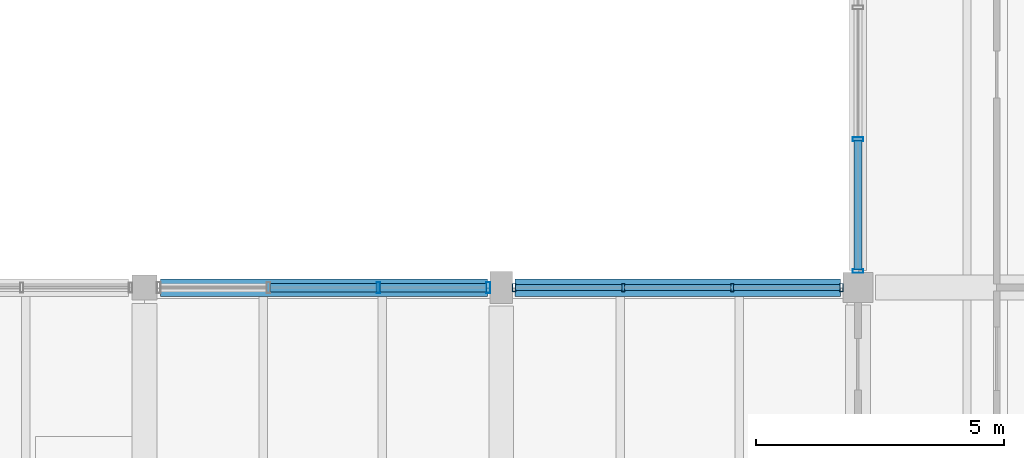
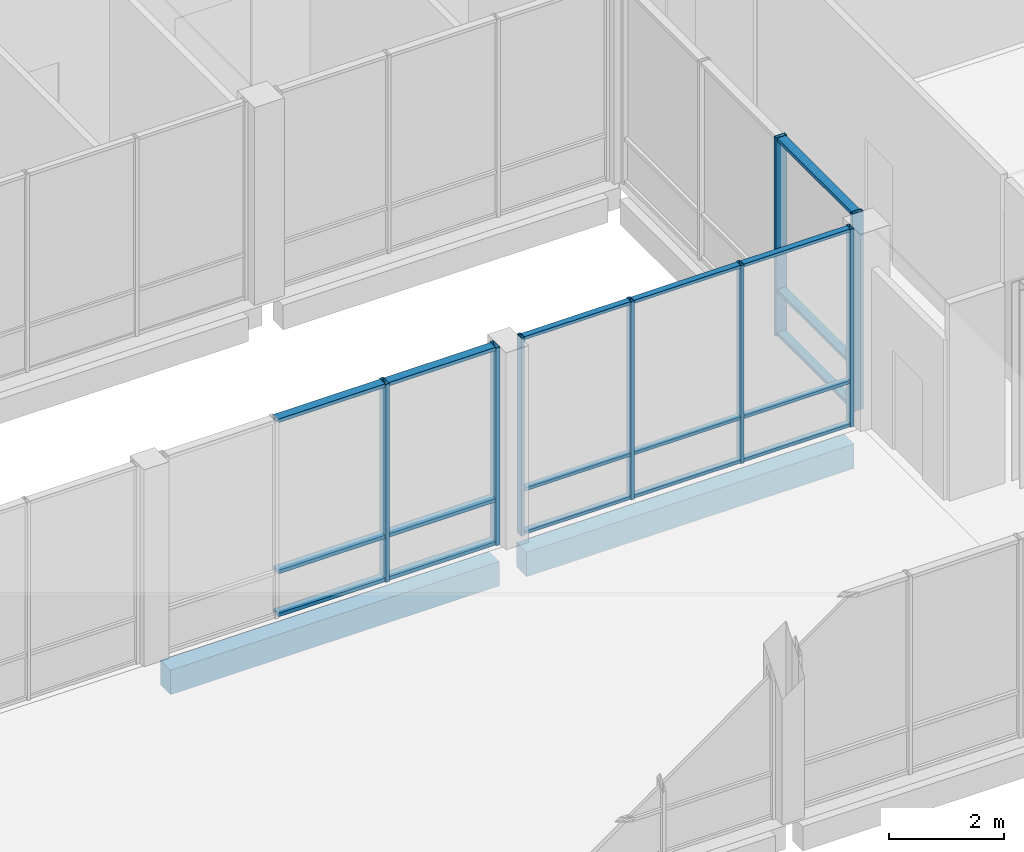
# One storey, part 38 of 104: 26 members, 2 beams, 3 elements without a shape of their own.
"""IFC4 building model written with IfcOpenShell, lengths in metres."""

from ifc_helpers import new_model, si_unit, direction, frame, origin, origin_2d, place, context, subcontext, project, spatial, rectangle, hollow_rectangle, extrude, material, material_profile, profile_set, type_object, element, aggregate, save


model = new_model("IFC4")

# Units and contexts
model_context = context("Model", 3, precision=1e-05, world=origin(), true_north=direction((0.0, 1.0)))
body_context = subcontext(model_context, "Body", "Model", "MODEL_VIEW")
ifc_project = project(units=[si_unit("LENGTHUNIT", "METRE"), si_unit("AREAUNIT", "SQUARE_METRE"), si_unit("VOLUMEUNIT", "CUBIC_METRE"), si_unit("PLANEANGLEUNIT", "RADIAN"), si_unit("MASSUNIT", "GRAM", prefix="KILO")], contexts=[model_context])

# Site, building, storey
site_placement = place(None, origin())
site = spatial("IfcSite", under=ifc_project, at=site_placement, CompositionType="ELEMENT")
building_placement = place(site_placement, origin())
building = spatial("IfcBuilding", under=site, at=building_placement, Name="Hawrajan Terrace Health Centre", CompositionType="ELEMENT")
storey_placement = place(building_placement, origin())
storey = spatial("IfcBuildingStorey", under=building, at=storey_placement, Name="L00", CompositionType="ELEMENT", Elevation=0.0)

# Curtain wall, members
ifc_material_1 = material(Name="Anodized bronze aluminium and low-E solar glazing", Category="aluminium")
curtain_wall_type_1 = type_object("IfcCurtainWallType", Name="CW_Court_SeriesA3", PredefinedType="USERDEFINED", material=ifc_material_1)
curtain_wall_1_placement = place(storey_placement, origin())
curtain_wall_1 = element("IfcCurtainWall", 1, at=curtain_wall_1_placement, inside=storey, type_object=curtain_wall_type_1, Name="Curtain wall CW-L00-027", ObjectType="UNITISED CURTAIN WALL", PredefinedType="USERDEFINED")
ifc_material_2 = material(Name="Anodized bronze aluminium 6063-T6", Category="aluminium")
ifc_material_profile_1 = material_profile(ifc_material_2, hollow_rectangle(XDim=0.06494140625, YDim=0.159912109375, WallThickness=0.00390625, at=origin_2d()), Name="CW MUL 65x160")
ifc_profile_set_1 = profile_set([ifc_material_profile_1], Name="Anodized bronze aluminium 6063-T6")
member_type_1 = type_object("IfcMemberType", Name="CWMullion_65x160", PredefinedType="MULLION", material=ifc_profile_set_1)
member_1_placement = place(storey_placement, frame((55.257568359375, 36.800048828125, -0.0048828125), z_axis=(0.0, 0.0, 1.0), x_axis=(1.0, 0.0, 0.0)))
member_1 = element("IfcMember", 2, at=member_1_placement, type_object=member_type_1, Name="Mullion CW-L00-027-M1", PredefinedType="MULLION", context=body_context, shape_type="SweptSolid", body=[
    extrude(hollow_rectangle(XDim=0.06494140625, YDim=0.159912109375, WallThickness=0.00390625, at=origin_2d()), origin(), (0.0, 0.0, 1.0), 4.2099609375),
])
member_2_placement = place(storey_placement, frame((57.460693359375, 36.800048828125, -0.0048828125), z_axis=(0.0, 0.0, 1.0), x_axis=(1.0, 0.0, 0.0)))
member_2 = element("IfcMember", 3, at=member_2_placement, type_object=member_type_1, Name="Mullion CW-L00-027-M2", PredefinedType="MULLION", context=body_context, shape_type="SweptSolid", body=[
    extrude(hollow_rectangle(XDim=0.06494140625, YDim=0.159912109375, WallThickness=0.00390625, at=origin_2d()), origin(), (0.0, 0.0, 1.0), 4.2099609375),
])
member_3_placement = place(storey_placement, frame((59.664306640625, 36.800048828125, -0.0048828125), z_axis=(0.0, 0.0, 1.0), x_axis=(1.0, 0.0, 0.0)))
member_3 = element("IfcMember", 4, at=member_3_placement, type_object=member_type_1, Name="Mullion CW-L00-027-M3", PredefinedType="MULLION", context=body_context, shape_type="SweptSolid", body=[
    extrude(hollow_rectangle(XDim=0.06494140625, YDim=0.159912109375, WallThickness=0.00390625, at=origin_2d()), origin(), (0.0, 0.0, 1.0), 4.2099609375),
])
member_4_placement = place(storey_placement, frame((61.867431640625, 36.800048828125, -0.0048828125), z_axis=(0.0, 0.0, 1.0), x_axis=(1.0, 0.0, 0.0)))
member_4 = element("IfcMember", 5, at=member_4_placement, type_object=member_type_1, Name="Mullion CW-L00-027-M4", PredefinedType="MULLION", context=body_context, shape_type="SweptSolid", body=[
    extrude(hollow_rectangle(XDim=0.06494140625, YDim=0.159912109375, WallThickness=0.00390625, at=origin_2d()), origin(), (0.0, 0.0, 1.0), 4.2099609375),
])

curtain_wall_type_2 = type_object("IfcCurtainWallType", Name="CW_Diagnostic_SeriesM1", PredefinedType="USERDEFINED", material=ifc_material_1)
curtain_wall_2_placement = place(storey_placement, origin())
curtain_wall_2 = element("IfcCurtainWall", 6, at=curtain_wall_2_placement, inside=storey, type_object=curtain_wall_type_2, Name="Curtain wall CW-L00-023", ObjectType="UNITISED CURTAIN WALL", PredefinedType="USERDEFINED")
ifc_material_profile_2 = material_profile(ifc_material_2, hollow_rectangle(XDim=0.074951171875, YDim=0.219970703125, WallThickness=0.0048828125, at=origin_2d()), Name="CW MUL 75x220")
ifc_profile_set_2 = profile_set([ifc_material_profile_2], Name="Anodized bronze aluminium 6063-T6")
member_type_2 = type_object("IfcMemberType", Name="CWMullion_75x220", PredefinedType="MULLION", material=ifc_profile_set_2)
member_5_placement = place(storey_placement, frame((52.520751953125, 36.800048828125, -0.0048828125), z_axis=(0.0, 0.0, 1.0), x_axis=(1.0, 0.0, 0.0)))
member_5 = element("IfcMember", 7, at=member_5_placement, type_object=member_type_2, Name="Mullion CW-L00-023-M3", PredefinedType="MULLION", context=body_context, shape_type="SweptSolid", body=[
    extrude(hollow_rectangle(XDim=0.074951171875, YDim=0.219970703125, WallThickness=0.0048828125, at=origin_2d()), origin(), (0.0, 0.0, 1.0), 4.2099609375),
])
member_6_placement = place(storey_placement, frame((54.737548828125, 36.800048828125, -0.0048828125), z_axis=(0.0, 0.0, 1.0), x_axis=(1.0, 0.0, 0.0)))
member_6 = element("IfcMember", 8, at=member_6_placement, type_object=member_type_2, Name="Mullion CW-L00-023-M4", PredefinedType="MULLION", context=body_context, shape_type="SweptSolid", body=[
    extrude(hollow_rectangle(XDim=0.074951171875, YDim=0.219970703125, WallThickness=0.0048828125, at=origin_2d()), origin(), (0.0, 0.0, 1.0), 4.2099609375),
])

curtain_wall_type_3 = type_object("IfcCurtainWallType", Name="CW_CourtNS_SeriesC2", PredefinedType="USERDEFINED", material=ifc_material_1)
curtain_wall_3_placement = place(storey_placement, origin())
curtain_wall_3 = element("IfcCurtainWall", 9, at=curtain_wall_3_placement, inside=storey, type_object=curtain_wall_type_3, Name="Curtain wall CW-L00-032", ObjectType="UNITISED CURTAIN WALL", PredefinedType="USERDEFINED")
member_7_placement = place(storey_placement, frame((62.199951171875, 37.137451171875, -0.0048828125), z_axis=(0.0, 0.0, 1.0), x_axis=(0.0, 1.0, 0.0)))
member_7 = element("IfcMember", 10, at=member_7_placement, type_object=member_type_2, Name="Mullion CW-L00-032-M1", PredefinedType="MULLION", context=body_context, shape_type="SweptSolid", body=[
    extrude(hollow_rectangle(XDim=0.074951171875, YDim=0.219970703125, WallThickness=0.0048828125, at=origin_2d()), origin(), (0.0, 0.0, 1.0), 4.2099609375),
])
member_8_placement = place(storey_placement, frame((62.199951171875, 39.7958984375, -0.0048828125), z_axis=(0.0, 0.0, 1.0), x_axis=(0.0, 1.0, 0.0)))
member_8 = element("IfcMember", 11, at=member_8_placement, type_object=member_type_2, Name="Mullion CW-L00-032-M2", PredefinedType="MULLION", context=body_context, shape_type="SweptSolid", body=[
    extrude(hollow_rectangle(XDim=0.074951171875, YDim=0.219970703125, WallThickness=0.0048828125, at=origin_2d()), origin(), (0.0, 0.0, 1.0), 4.2099609375),
])

# Member
ifc_material_profile_3 = material_profile(ifc_material_2, hollow_rectangle(XDim=0.06494140625, YDim=0.1201171875, WallThickness=0.00341796875, at=origin_2d()), Name="CW TRN 65x120")
ifc_profile_set_3 = profile_set([ifc_material_profile_3], Name="Anodized bronze aluminium 6063-T6")
member_type_3 = type_object("IfcMemberType", Name="CWTransom_65x120", PredefinedType="USERDEFINED", material=ifc_profile_set_3)
member_9_placement = place(storey_placement, frame((55.283935546875, 36.800048828125, 0.032470703125), z_axis=(1.0, 0.0, 0.0), x_axis=(0.0, 0.0, 1.0)))
member_9 = element("IfcMember", 12, at=member_9_placement, type_object=member_type_3, Name="Transom CW-L00-027-T1-1", ObjectType="TRANSOM", PredefinedType="USERDEFINED", context=body_context, shape_type="SweptSolid", body=[
    extrude(hollow_rectangle(XDim=0.06494140625, YDim=0.1201171875, WallThickness=0.00341796875, at=origin_2d()), origin(), (0.0, 0.0, 1.0), 2.150390625),
])

member_10_placement = place(storey_placement, frame((55.283935546875, 36.800048828125, 0.949951171875), z_axis=(1.0, 0.0, 0.0), x_axis=(0.0, 0.0, 1.0)))
member_10 = element("IfcMember", 13, at=member_10_placement, type_object=member_type_3, Name="Transom CW-L00-027-T1-2", ObjectType="TRANSOM", PredefinedType="USERDEFINED", context=body_context, shape_type="SweptSolid", body=[
    extrude(hollow_rectangle(XDim=0.06494140625, YDim=0.1201171875, WallThickness=0.00341796875, at=origin_2d()), origin(), (0.0, 0.0, 1.0), 2.150390625),
])

member_11_placement = place(storey_placement, frame((55.283935546875, 36.800048828125, 4.16748046875), z_axis=(1.0, 0.0, 0.0), x_axis=(0.0, 0.0, 1.0)))
member_11 = element("IfcMember", 14, at=member_11_placement, type_object=member_type_3, Name="Transom CW-L00-027-T1-3", ObjectType="TRANSOM", PredefinedType="USERDEFINED", context=body_context, shape_type="SweptSolid", body=[
    extrude(hollow_rectangle(XDim=0.06494140625, YDim=0.1201171875, WallThickness=0.00341796875, at=origin_2d()), origin(), (0.0, 0.0, 1.0), 2.150390625),
])

member_12_placement = place(storey_placement, frame((57.4873046875, 36.800048828125, 0.032470703125), z_axis=(1.0, 0.0, 0.0), x_axis=(0.0, 0.0, 1.0)))
member_12 = element("IfcMember", 15, at=member_12_placement, type_object=member_type_3, Name="Transom CW-L00-027-T2-1", ObjectType="TRANSOM", PredefinedType="USERDEFINED", context=body_context, shape_type="SweptSolid", body=[
    extrude(hollow_rectangle(XDim=0.06494140625, YDim=0.1201171875, WallThickness=0.00341796875, at=origin_2d()), origin(), (0.0, 0.0, 1.0), 2.150390625),
])

member_13_placement = place(storey_placement, frame((57.4873046875, 36.800048828125, 0.949951171875), z_axis=(1.0, 0.0, 0.0), x_axis=(0.0, 0.0, 1.0)))
member_13 = element("IfcMember", 16, at=member_13_placement, type_object=member_type_3, Name="Transom CW-L00-027-T2-2", ObjectType="TRANSOM", PredefinedType="USERDEFINED", context=body_context, shape_type="SweptSolid", body=[
    extrude(hollow_rectangle(XDim=0.06494140625, YDim=0.1201171875, WallThickness=0.00341796875, at=origin_2d()), origin(), (0.0, 0.0, 1.0), 2.150390625),
])

member_14_placement = place(storey_placement, frame((57.4873046875, 36.800048828125, 4.16748046875), z_axis=(1.0, 0.0, 0.0), x_axis=(0.0, 0.0, 1.0)))
member_14 = element("IfcMember", 17, at=member_14_placement, type_object=member_type_3, Name="Transom CW-L00-027-T2-3", ObjectType="TRANSOM", PredefinedType="USERDEFINED", context=body_context, shape_type="SweptSolid", body=[
    extrude(hollow_rectangle(XDim=0.06494140625, YDim=0.1201171875, WallThickness=0.00341796875, at=origin_2d()), origin(), (0.0, 0.0, 1.0), 2.150390625),
])

member_15_placement = place(storey_placement, frame((59.690673828125, 36.800048828125, 0.032470703125), z_axis=(1.0, 0.0, 0.0), x_axis=(0.0, 0.0, 1.0)))
member_15 = element("IfcMember", 18, at=member_15_placement, type_object=member_type_3, Name="Transom CW-L00-027-T3-1", ObjectType="TRANSOM", PredefinedType="USERDEFINED", context=body_context, shape_type="SweptSolid", body=[
    extrude(hollow_rectangle(XDim=0.06494140625, YDim=0.1201171875, WallThickness=0.00341796875, at=origin_2d()), origin(), (0.0, 0.0, 1.0), 2.150390625),
])

member_16_placement = place(storey_placement, frame((59.690673828125, 36.800048828125, 0.949951171875), z_axis=(1.0, 0.0, 0.0), x_axis=(0.0, 0.0, 1.0)))
member_16 = element("IfcMember", 19, at=member_16_placement, type_object=member_type_3, Name="Transom CW-L00-027-T3-2", ObjectType="TRANSOM", PredefinedType="USERDEFINED", context=body_context, shape_type="SweptSolid", body=[
    extrude(hollow_rectangle(XDim=0.06494140625, YDim=0.1201171875, WallThickness=0.00341796875, at=origin_2d()), origin(), (0.0, 0.0, 1.0), 2.150390625),
])

member_17_placement = place(storey_placement, frame((59.690673828125, 36.800048828125, 4.16748046875), z_axis=(1.0, 0.0, 0.0), x_axis=(0.0, 0.0, 1.0)))
member_17 = element("IfcMember", 20, at=member_17_placement, type_object=member_type_3, Name="Transom CW-L00-027-T3-3", ObjectType="TRANSOM", PredefinedType="USERDEFINED", context=body_context, shape_type="SweptSolid", body=[
    extrude(hollow_rectangle(XDim=0.06494140625, YDim=0.1201171875, WallThickness=0.00341796875, at=origin_2d()), origin(), (0.0, 0.0, 1.0), 2.150390625),
])

aggregate(curtain_wall_1, [member_1, member_2, member_3, member_4, member_9, member_10, member_11, member_12, member_13, member_14, member_15, member_16, member_17])

ifc_material_profile_4 = material_profile(ifc_material_2, hollow_rectangle(XDim=0.074951171875, YDim=0.169921875, WallThickness=0.00439453125, at=origin_2d()), Name="CW TRN 75x170")
ifc_profile_set_4 = profile_set([ifc_material_profile_4], Name="Anodized bronze aluminium 6063-T6")
member_type_4 = type_object("IfcMemberType", Name="CWTransom_75x170", PredefinedType="USERDEFINED", material=ifc_profile_set_4)
member_18_placement = place(storey_placement, frame((50.335693359375, 36.800048828125, 0.03759765625), z_axis=(1.0, 0.0, 0.0), x_axis=(0.0, 0.0, 1.0)))
member_18 = element("IfcMember", 21, at=member_18_placement, type_object=member_type_4, Name="Transom CW-L00-023-T2-1", ObjectType="TRANSOM", PredefinedType="USERDEFINED", context=body_context, shape_type="SweptSolid", body=[
    extrude(hollow_rectangle(XDim=0.074951171875, YDim=0.169921875, WallThickness=0.00439453125, at=origin_2d()), origin(), (0.0, 0.0, 1.0), 2.153564453125),
])

member_19_placement = place(storey_placement, frame((50.335693359375, 36.800048828125, 0.949951171875), z_axis=(1.0, 0.0, 0.0), x_axis=(0.0, 0.0, 1.0)))
member_19 = element("IfcMember", 22, at=member_19_placement, type_object=member_type_4, Name="Transom CW-L00-023-T2-2", ObjectType="TRANSOM", PredefinedType="USERDEFINED", context=body_context, shape_type="SweptSolid", body=[
    extrude(hollow_rectangle(XDim=0.074951171875, YDim=0.169921875, WallThickness=0.00439453125, at=origin_2d()), origin(), (0.0, 0.0, 1.0), 2.153564453125),
])

member_20_placement = place(storey_placement, frame((50.335693359375, 36.800048828125, 4.16259765625), z_axis=(1.0, 0.0, 0.0), x_axis=(0.0, 0.0, 1.0)))
member_20 = element("IfcMember", 23, at=member_20_placement, type_object=member_type_4, Name="Transom CW-L00-023-T2-3", ObjectType="TRANSOM", PredefinedType="USERDEFINED", context=body_context, shape_type="SweptSolid", body=[
    extrude(hollow_rectangle(XDim=0.074951171875, YDim=0.169921875, WallThickness=0.00439453125, at=origin_2d()), origin(), (0.0, 0.0, 1.0), 2.153564453125),
])

member_21_placement = place(storey_placement, frame((52.55224609375, 36.800048828125, 0.03759765625), z_axis=(1.0, 0.0, 0.0), x_axis=(0.0, 0.0, 1.0)))
member_21 = element("IfcMember", 24, at=member_21_placement, type_object=member_type_4, Name="Transom CW-L00-023-T3-1", ObjectType="TRANSOM", PredefinedType="USERDEFINED", context=body_context, shape_type="SweptSolid", body=[
    extrude(hollow_rectangle(XDim=0.074951171875, YDim=0.169921875, WallThickness=0.00439453125, at=origin_2d()), origin(), (0.0, 0.0, 1.0), 2.15380859375),
])

member_22_placement = place(storey_placement, frame((52.55224609375, 36.800048828125, 0.949951171875), z_axis=(1.0, 0.0, 0.0), x_axis=(0.0, 0.0, 1.0)))
member_22 = element("IfcMember", 25, at=member_22_placement, type_object=member_type_4, Name="Transom CW-L00-023-T3-2", ObjectType="TRANSOM", PredefinedType="USERDEFINED", context=body_context, shape_type="SweptSolid", body=[
    extrude(hollow_rectangle(XDim=0.074951171875, YDim=0.169921875, WallThickness=0.00439453125, at=origin_2d()), origin(), (0.0, 0.0, 1.0), 2.15380859375),
])

member_23_placement = place(storey_placement, frame((52.55224609375, 36.800048828125, 4.16259765625), z_axis=(1.0, 0.0, 0.0), x_axis=(0.0, 0.0, 1.0)))
member_23 = element("IfcMember", 26, at=member_23_placement, type_object=member_type_4, Name="Transom CW-L00-023-T3-3", ObjectType="TRANSOM", PredefinedType="USERDEFINED", context=body_context, shape_type="SweptSolid", body=[
    extrude(hollow_rectangle(XDim=0.074951171875, YDim=0.169921875, WallThickness=0.00439453125, at=origin_2d()), origin(), (0.0, 0.0, 1.0), 2.15380859375),
])

aggregate(curtain_wall_2, [member_5, member_6, member_18, member_19, member_20, member_21, member_22, member_23])

member_24_placement = place(storey_placement, frame((62.199951171875, 37.1689453125, 0.03759765625), z_axis=(0.0, 1.0, 0.0), x_axis=(0.0, 0.0, 1.0)))
member_24 = element("IfcMember", 27, at=member_24_placement, type_object=member_type_4, Name="Transom CW-L00-032-T1-1", ObjectType="TRANSOM", PredefinedType="USERDEFINED", context=body_context, shape_type="SweptSolid", body=[
    extrude(hollow_rectangle(XDim=0.074951171875, YDim=0.169921875, WallThickness=0.00439453125, at=origin_2d()), origin(), (0.0, 0.0, 1.0), 2.595458984375),
])

member_25_placement = place(storey_placement, frame((62.199951171875, 37.1689453125, 0.949951171875), z_axis=(0.0, 1.0, 0.0), x_axis=(0.0, 0.0, 1.0)))
member_25 = element("IfcMember", 28, at=member_25_placement, type_object=member_type_4, Name="Transom CW-L00-032-T1-2", ObjectType="TRANSOM", PredefinedType="USERDEFINED", context=body_context, shape_type="SweptSolid", body=[
    extrude(hollow_rectangle(XDim=0.074951171875, YDim=0.169921875, WallThickness=0.00439453125, at=origin_2d()), origin(), (0.0, 0.0, 1.0), 2.595458984375),
])

member_26_placement = place(storey_placement, frame((62.199951171875, 37.1689453125, 4.16259765625), z_axis=(0.0, 1.0, 0.0), x_axis=(0.0, 0.0, 1.0)))
member_26 = element("IfcMember", 29, at=member_26_placement, type_object=member_type_4, Name="Transom CW-L00-032-T1-3", ObjectType="TRANSOM", PredefinedType="USERDEFINED", context=body_context, shape_type="SweptSolid", body=[
    extrude(hollow_rectangle(XDim=0.074951171875, YDim=0.169921875, WallThickness=0.00439453125, at=origin_2d()), origin(), (0.0, 0.0, 1.0), 2.595458984375),
])

aggregate(curtain_wall_3, [member_7, member_8, member_24, member_25, member_26])

# Beams
ifc_material_3 = material(Name="Concrete C40/50", Category="concrete")
ifc_material_profile_5 = material_profile(ifc_material_3, rectangle(XDim=0.35009765625, YDim=0.52001953125, at=origin_2d()), Name="RC SP 350x520")
ifc_profile_set_5 = profile_set([ifc_material_profile_5], Name="Concrete C40/50")
beam_type = type_object("IfcBeamType", Name="RCSpandrel_350x520", PredefinedType="SPANDREL", material=ifc_profile_set_5)
beam_1_placement = place(storey_placement, frame((48.125, 36.800048828125, -0.56005859375), z_axis=(1.0, 0.0, 0.0), x_axis=(0.0, 1.0, 0.0)))
element("IfcBeam", 30, at=beam_1_placement, inside=storey, type_object=beam_type, Name="Beam BM-X-L00-W-07-Y5", PredefinedType="SPANDREL", context=body_context, shape_type="SweptSolid", body=[
    extrude(rectangle(XDim=0.35009765625, YDim=0.52001953125, at=origin_2d()), origin(), (0.0, 0.0, 1.0), 6.60009765625),
])
beam_2_placement = place(storey_placement, frame((55.27490234375, 36.800048828125, -0.56005859375), z_axis=(1.0, 0.0, 0.0), x_axis=(0.0, 1.0, 0.0)))
element("IfcBeam", 31, at=beam_2_placement, inside=storey, type_object=beam_type, Name="Beam BM-X-L00-W-08-Y5", PredefinedType="SPANDREL", context=body_context, shape_type="SweptSolid", body=[
    extrude(rectangle(XDim=0.35009765625, YDim=0.52001953125, at=origin_2d()), origin(), (0.0, 0.0, 1.0), 6.5751953125),
])

save(model, "model.ifc")
